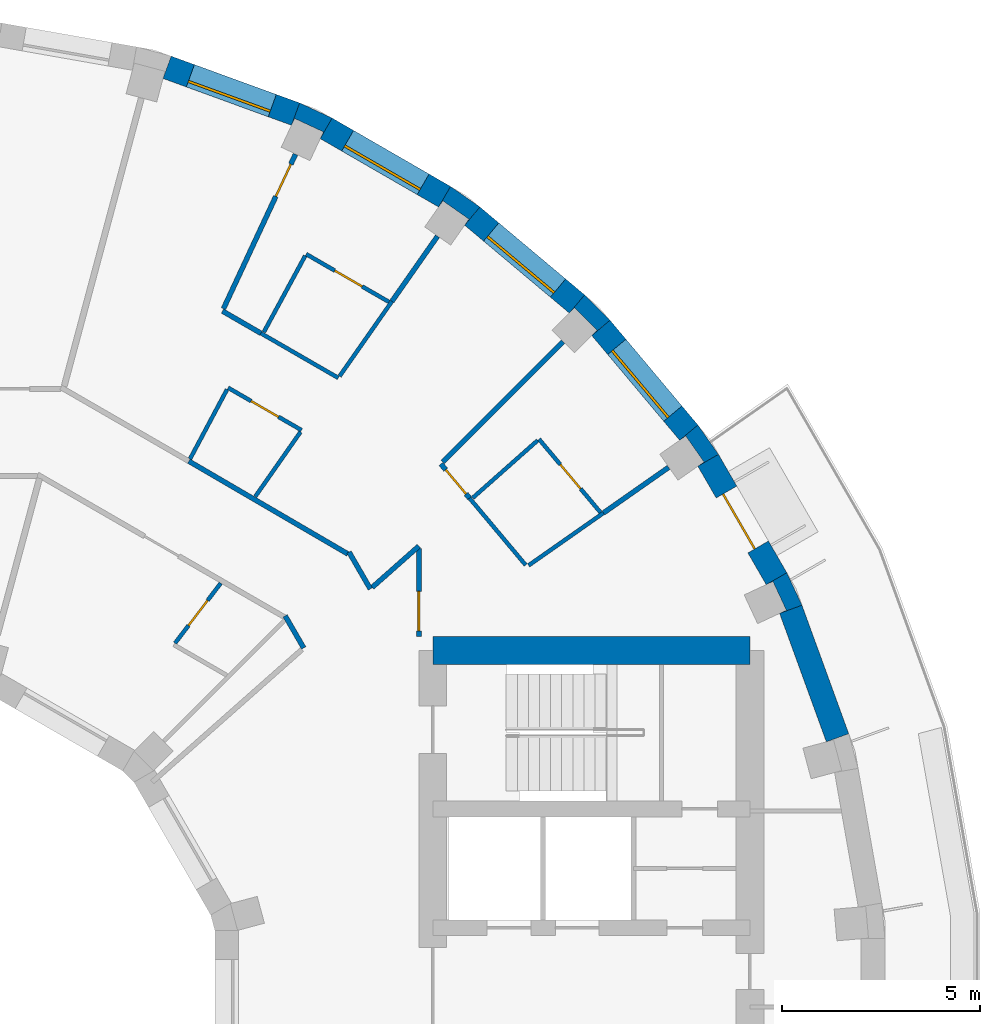
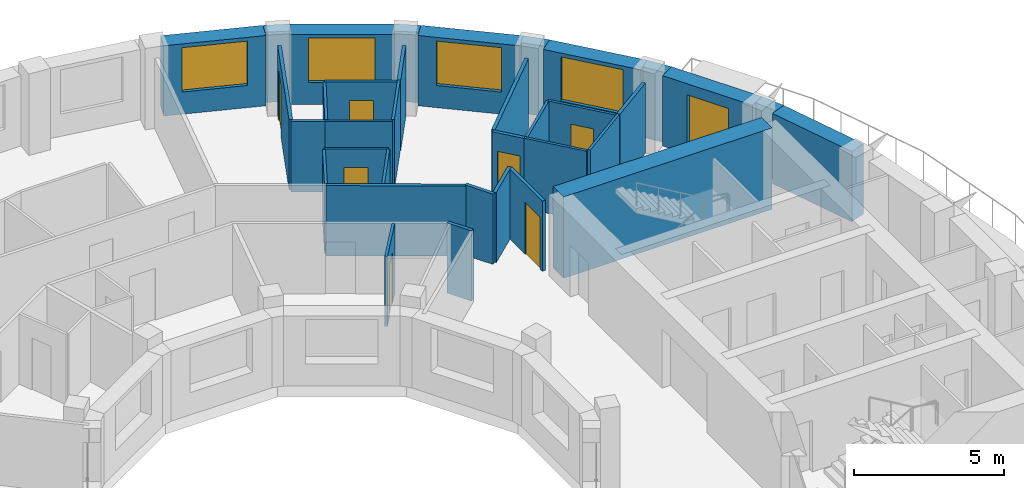
# One storey, part 9 of 11: 35 walls, 8 doors, 4 windows, 12 openings.
"""IFC4 building model written with IfcOpenShell, lengths in metres."""

import ifcopenshell
import ifcopenshell.guid

model = None  # the IFC model being written
_history = None  # IfcOwnerHistory: only IFC2X3 demands one
_inside = {}  # id of a spatial element -> (the spatial element, [elements in it])
_under = {}  # id of a project, library or spatial element -> (it, [spatial elements below it])
_declared = {}  # id of a project -> (the project, [libraries it declares])
_typed = {}  # id of a type object -> (the type object, [elements of that type])
_made_of = {}  # id of a material, layer set ... -> (it, [elements and type objects made of it])


def new_model(schema):
    """Start an empty IFC model of exactly this schema.

    Asked for "IFC4X3", IfcOpenShell would pick the latest addendum, in which some entities
    have other attributes; the version numbers below select the first issue.
    IFC2X3 requires an IfcOwnerHistory on every rooted entity: one is made here for all.
    """
    global model, _history
    if schema == "IFC4X3":
        model = ifcopenshell.file(schema_version=(4, 3, 0, 0))
    else:
        model = ifcopenshell.file(schema=schema)
    _inside.clear()
    _under.clear()
    _declared.clear()
    _typed.clear()
    _made_of.clear()
    _history = None
    if model.schema == "IFC2X3":
        org = make("IfcOrganization", Name="unknown")
        user = make(
            "IfcPersonAndOrganization",
            ThePerson=make("IfcPerson", FamilyName="unknown"),
            TheOrganization=org,
        )
        app = make(
            "IfcApplication",
            ApplicationDeveloper=org,
            Version="unknown",
            ApplicationFullName="unknown",
            ApplicationIdentifier="unknown",
        )
        _history = make(
            "IfcOwnerHistory",
            OwningUser=user,
            OwningApplication=app,
            ChangeAction="ADDED",
            CreationDate=0,
        )
    return model


def make(cls, **values):
    """One entity of the class cls with the attributes given. An attribute that is None is left unset."""
    return model.create_entity(
        cls, **{name: value for name, value in values.items() if value is not None}
    )


def rooted(cls, **values):
    """An entity with a GlobalId (a new one), such as an element, a storey or a relation."""
    return make(cls, GlobalId=ifcopenshell.guid.new(), OwnerHistory=_history, **values)


def si_unit(unit_type, name, prefix=None):
    """IfcSIUnit, for example si_unit("LENGTHUNIT", "METRE", prefix="MILLI")."""
    return make("IfcSIUnit", UnitType=unit_type, Prefix=prefix, Name=name)


def assignment(units):
    """IfcUnitAssignment: the units of a project."""
    return None if units is None else make("IfcUnitAssignment", Units=units)


def point(xyz):
    """IfcCartesianPoint."""
    return None if xyz is None else make("IfcCartesianPoint", Coordinates=xyz)


def direction(xyz):
    """IfcDirection."""
    return None if xyz is None else make("IfcDirection", DirectionRatios=xyz)


def frame(location, z_axis=None, x_axis=None):
    """IfcAxis2Placement3D, a coordinate frame: its origin and axes. An axis left out is left unset."""
    return make(
        "IfcAxis2Placement3D",
        Location=point(location),
        Axis=direction(z_axis),
        RefDirection=direction(x_axis),
    )


def frame_2d(location, x_axis=None):
    """IfcAxis2Placement2D, a coordinate frame in the plane: its origin and x axis."""
    return make(
        "IfcAxis2Placement2D", Location=point(location), RefDirection=direction(x_axis)
    )


def origin():
    """The frame at (0, 0, 0) with its axes left unset."""
    return frame((0.0, 0.0, 0.0))


def place(relative_to, where):
    """IfcLocalPlacement: puts the frame where relative to a parent placement (None: the world)."""
    return make(
        "IfcLocalPlacement", PlacementRelTo=relative_to, RelativePlacement=where
    )


def context(
    kind, dimensions, precision=None, world=None, true_north=None, identifier=None
):
    """IfcGeometricRepresentationContext, for example the 3D "Model" context."""
    return make(
        "IfcGeometricRepresentationContext",
        ContextIdentifier=identifier,
        ContextType=kind,
        CoordinateSpaceDimension=dimensions,
        Precision=precision,
        WorldCoordinateSystem=world,
        TrueNorth=true_north,
    )


def subcontext(parent, identifier, kind, view, scale=None):
    """IfcGeometricRepresentationSubContext, for example "Body" below "Model"."""
    return make(
        "IfcGeometricRepresentationSubContext",
        ContextIdentifier=identifier,
        ContextType=kind,
        ParentContext=parent,
        TargetScale=scale,
        TargetView=view,
    )


def project(units=None, contexts=None):
    """IfcProject with its units and contexts."""
    return rooted(
        "IfcProject",
        Name="project",
        RepresentationContexts=contexts,
        UnitsInContext=assignment(units),
    )


def spatial(cls, under=None, at=None, **own):
    """A site, building, storey or space (cls), placed at a placement, below another one or the project."""
    s = rooted(cls, ObjectPlacement=at, **own)
    if under is not None:
        _under.setdefault(under.id(), (under, []))[1].append(s)
    return s


def polyline(points):
    """IfcPolyline through the points."""
    return make("IfcPolyline", Points=[point(p) for p in points])


def profile(cls, at=None, kind="AREA", **sizes):
    """A parametric profile (cls). Its sizes go by their IFC names, for example OverallWidth=200.0."""
    return make(cls, ProfileType=kind, Position=at, **sizes)


def rectangle(**sizes):
    """IfcRectangleProfileDef."""
    return profile("IfcRectangleProfileDef", **sizes)


def outline(outer, holes=None, kind="AREA"):
    """IfcArbitraryClosedProfileDef: a profile drawn as a closed curve; with holes, ...WithVoids."""
    if holes is None:
        return make("IfcArbitraryClosedProfileDef", ProfileType=kind, OuterCurve=outer)
    return make(
        "IfcArbitraryProfileDefWithVoids",
        ProfileType=kind,
        OuterCurve=outer,
        InnerCurves=holes,
    )


def extrude(swept, where, along, depth):
    """IfcExtrudedAreaSolid: the profile swept, set in the frame where, extruded along a direction by depth."""
    return make(
        "IfcExtrudedAreaSolid",
        SweptArea=swept,
        Position=where,
        ExtrudedDirection=direction(along),
        Depth=depth,
    )


def shape(context_of_items, identifier, shape_type, items):
    """IfcShapeRepresentation: the items that make up one representation, for example the "Body"."""
    return make(
        "IfcShapeRepresentation",
        ContextOfItems=context_of_items,
        RepresentationIdentifier=identifier,
        RepresentationType=shape_type,
        Items=items,
    )


def material(Name=None, Category=None):
    """IfcMaterial."""
    return make("IfcMaterial", Name=Name, Category=Category)


def layer(
    of_material, thickness, ventilated=None, Name=None, Category=None, Priority=None
):
    """IfcMaterialLayer: one layer of a wall or slab, of a material (None: an air gap)."""
    return make(
        "IfcMaterialLayer",
        Material=of_material,
        LayerThickness=thickness,
        IsVentilated=ventilated,
        Name=Name,
        Category=Category,
        Priority=Priority,
    )


def layer_set(layers, Name=None):
    """IfcMaterialLayerSet."""
    return make("IfcMaterialLayerSet", MaterialLayers=layers, LayerSetName=Name)


def made_of(thing, what):
    """Note that an element or type object is made of a material, layer set ...; save() writes the relation."""
    if what is not None:
        _made_of.setdefault(what.id(), (what, []))[1].append(thing)
    return thing


def type_object(cls, material=None, **own):
    """A type object (cls), such as IfcWallType, which elements share."""
    return made_of(rooted(cls, **own), material)


def element(
    cls,
    number,
    at=None,
    inside=None,
    cuts=None,
    type_object=None,
    material=None,
    context=None,
    identifier="Body",
    shape_type=None,
    held_by="IfcProductDefinitionShape",
    body=None,
    shapes=None,
    **own,
):
    """One element of the class cls, such as IfcWall. Its Tag is "e" and its number.

    at: its placement. inside: the storey or other place that contains it. cuts: it is an
    opening in that element (IfcRelVoidsElement). A single representation is given by context,
    identifier, shape_type and body (its items); several are given by shapes. held_by: the class
    of the entity that holds the representations. save() writes the other relations.
    """
    e = rooted(cls, Tag="e%d" % number, ObjectPlacement=at, **own)
    if body is not None:
        shapes = [shape(context, identifier, shape_type, body)]
    if shapes is not None:
        e.Representation = make(held_by, Representations=shapes)
    if inside is not None:
        _inside.setdefault(inside.id(), (inside, []))[1].append(e)
    if cuts is not None:
        rooted(
            "IfcRelVoidsElement", RelatingBuildingElement=cuts, RelatedOpeningElement=e
        )
    if type_object is not None:
        _typed.setdefault(type_object.id(), (type_object, []))[1].append(e)
    return made_of(e, material)


def fill(opening, filler):
    """IfcRelFillsElement: the door or window that sits in an opening."""
    return rooted(
        "IfcRelFillsElement",
        RelatingOpeningElement=opening,
        RelatedBuildingElement=filler,
    )


def aggregate(whole, parts):
    """IfcRelAggregates: a whole, such as a stair, and the parts it consists of."""
    return rooted("IfcRelAggregates", RelatingObject=whole, RelatedObjects=parts)


def save(model, path):
    """Write the relations noted so far, then the file.

    IfcRelAggregates (storeys below a building ...), IfcRelContainedInSpatialStructure (elements
    in a storey), IfcRelDefinesByType, IfcRelAssociatesMaterial and IfcRelDeclares: one each for
    every whole, place, type object, material and project.
    """
    for whole, parts in _under.values():
        aggregate(whole, parts)
    for where, things in _inside.values():
        rooted(
            "IfcRelContainedInSpatialStructure",
            RelatedElements=things,
            RelatingStructure=where,
        )
    for kind, things in _typed.values():
        rooted("IfcRelDefinesByType", RelatedObjects=things, RelatingType=kind)
    for what, things in _made_of.values():
        rooted("IfcRelAssociatesMaterial", RelatedObjects=things, RelatingMaterial=what)
    for by, libraries in _declared.values():
        rooted("IfcRelDeclares", RelatingContext=by, RelatedDefinitions=libraries)
    model.write(path)


model = new_model("IFC4")

# Units and contexts
model_context = context("Model", 3, precision=1e-05, world=origin(), true_north=direction((0.0, 1.0)))
body_context = subcontext(model_context, "Body", "Model", "MODEL_VIEW")
ifc_project = project(units=[si_unit("LENGTHUNIT", "METRE"), si_unit("AREAUNIT", "SQUARE_METRE"), si_unit("VOLUMEUNIT", "CUBIC_METRE"), si_unit("PLANEANGLEUNIT", "RADIAN"), si_unit("MASSUNIT", "GRAM", prefix="KILO")], contexts=[model_context])

# Site, building, storey
site_placement = place(None, origin())
site = spatial("IfcSite", under=ifc_project, at=site_placement, CompositionType="ELEMENT")
building_placement = place(site_placement, origin())
building = spatial("IfcBuilding", under=site, at=building_placement, Name="Saqina Gate Tower", CompositionType="ELEMENT")
storey_placement = place(building_placement, frame((0.0, 0.0, 183.89990234375)))
storey = spatial("IfcBuildingStorey", under=building, at=storey_placement, Name="L52", CompositionType="ELEMENT", Elevation=183.89990234375)

# Walls
ifc_material_1 = material(Name="Brick masonry (buff)", Category="masonry")
wall_type_1 = type_object("IfcWallType", Name="BRICK PIER COPING BUFF", PredefinedType="SOLIDWALL", material=ifc_material_1)
wall_1_placement = place(storey_placement, origin())
element("IfcWall", 1, at=wall_1_placement, inside=storey, type_object=wall_type_1, Name="Pier cap L52 column 3", PredefinedType="SOLIDWALL", context=body_context, shape_type="SweptSolid", body=[
    extrude(outline(polyline([(22.4306640625, 10.958740234375), (21.9111328125, 10.65869140625), (22.080810546875, 10.73779296875), (22.4189453125, 10.0126953125), (22.249267578125, 9.93359375), (22.81298828125, 10.138916015625), (22.4306640625, 10.958740234375)])), origin(), (0.0, 0.0, 1.0), 2.85009765625),
])
wall_2_placement = place(storey_placement, origin())
element("IfcWall", 2, at=wall_2_placement, inside=storey, type_object=wall_type_1, Name="Pier cap L52 column 4", PredefinedType="SOLIDWALL", context=body_context, shape_type="SweptSolid", body=[
    extrude(outline(polyline([(20.705810546875, 13.9462890625), (20.18701171875, 14.687255859375), (19.727294921875, 14.301513671875), (19.880859375, 14.408935546875), (20.339599609375, 13.753662109375), (20.186279296875, 13.646240234375), (20.705810546875, 13.9462890625)])), origin(), (0.0, 0.0, 1.0), 2.85009765625),
])
wall_3_placement = place(storey_placement, origin())
element("IfcWall", 3, at=wall_3_placement, inside=storey, type_object=wall_type_1, Name="Pier cap L52 column 5", PredefinedType="SOLIDWALL", context=body_context, shape_type="SweptSolid", body=[
    extrude(outline(polyline([(17.329833984375, 17.969482421875), (16.944091796875, 17.510009765625), (17.07666015625, 17.642333984375), (17.642333984375, 17.07666015625), (17.510009765625, 16.944091796875), (17.969482421875, 17.329833984375), (17.329833984375, 17.969482421875)])), origin(), (0.0, 0.0, 1.0), 2.85009765625),
])
wall_4_placement = place(storey_placement, origin())
element("IfcWall", 4, at=wall_4_placement, inside=storey, type_object=wall_type_1, Name="Pier cap L52 column 6", PredefinedType="SOLIDWALL", context=body_context, shape_type="SweptSolid", body=[
    extrude(outline(polyline([(14.687255859375, 20.18701171875), (13.9462890625, 20.705810546875), (13.646240234375, 20.186279296875), (13.753662109375, 20.339599609375), (14.408935546875, 19.880859375), (14.301513671875, 19.727294921875), (14.687255859375, 20.18701171875)])), origin(), (0.0, 0.0, 1.0), 2.85009765625),
])
wall_5_placement = place(storey_placement, origin())
element("IfcWall", 5, at=wall_5_placement, inside=storey, type_object=wall_type_1, Name="Pier cap L52 column 7", PredefinedType="SOLIDWALL", context=body_context, shape_type="SweptSolid", body=[
    extrude(outline(polyline([(10.138916015625, 22.81298828125), (9.93359375, 22.249267578125), (10.0126953125, 22.4189453125), (10.73779296875, 22.080810546875), (10.65869140625, 21.9111328125), (10.958740234375, 22.4306640625), (10.138916015625, 22.81298828125)])), origin(), (0.0, 0.0, 1.0), 2.85009765625),
])

# Wall, opening, door
ifc_material_2 = material(Name="Brick masonry (buff)", Category="masonry")
ifc_layer_1 = layer(ifc_material_2, 0.60009765625)
ifc_layer_set_1 = layer_set([ifc_layer_1], Name="FW-BRICK-BUFF")
wall_type_2 = type_object("IfcWallType", Name="FW-BRICK-BUFF", PredefinedType="SOLIDWALL", material=ifc_layer_set_1)
wall_6_placement = place(storey_placement, frame((22.1708984375, 10.80859375, 0.0), z_axis=(0.0, 0.0, 1.0), x_axis=(-0.499998129301, 0.86602648383, 0.0)))
wall_6 = element("IfcWall", 6, at=wall_6_placement, inside=storey, type_object=wall_type_2, Name="Facade wall L52 facet 3", PredefinedType="SOLIDWALL", context=body_context, shape_type="SweptSolid", body=[
    extrude(rectangle(XDim=3.44970703125, YDim=0.60009765625, at=frame_2d((1.724853515625, 0.0))), origin(), (0.0, 0.0, 1.0), 2.85009765625),
])
opening_1_placement = place(wall_6_placement, frame((0.9248046875, 0.0, 0.0)))
opening_1 = element("IfcOpeningElement", 7, at=opening_1_placement, cuts=wall_6, Name="Opening G15-D80", PredefinedType="OPENING", context=body_context, shape_type="SweptSolid", body=[
    extrude(rectangle(XDim=1.60009765625, YDim=2.39990234375, at=frame_2d((0.800048828125, 1.199951171875))), frame((0.0, 0.31201171875, 0.0), z_axis=(0.0, -1.0, 0.0), x_axis=(1.0, 0.0, 0.0)), (0.0, 0.0, 1.0), 0.6240234375),
])
ifc_material_3 = material(Name="Aluminium glazing", Category="aluminium")
door_type_1 = type_object("IfcDoorType", Name="GD-C", OperationType="DOUBLE_DOOR_SINGLE_SWING", PredefinedType="DOOR", material=ifc_material_3)
door_1_placement = place(opening_1_placement, origin())
door_1 = element("IfcDoor", 8, at=door_1_placement, inside=storey, type_object=door_type_1, Name="Terrace door L52 facet 3", OperationType="DOUBLE_DOOR_SINGLE_SWING", OverallHeight=2.39990234375, OverallWidth=1.60009765625, PredefinedType="DOOR", context=body_context, shape_type="SweptSolid", body=[
    extrude(rectangle(XDim=1.60009765625, YDim=2.39990234375, at=frame_2d((0.800048828125, 1.199951171875))), frame((0.0, 0.125, 0.0), z_axis=(0.0, -1.0, 0.0), x_axis=(1.0, 0.0, 0.0)), (0.0, 0.0, 1.0), 0.050048828125),
])
fill(opening_1, door_1)

# Wall, opening, window
wall_7_placement = place(storey_placement, frame((19.95703125, 14.494384765625, 0.0), z_axis=(0.0, 0.0, 1.0), x_axis=(-0.642770398358, 0.766058884809, 0.0)))
wall_7 = element("IfcWall", 9, at=wall_7_placement, inside=storey, type_object=wall_type_2, Name="Facade wall L52 facet 4", PredefinedType="SOLIDWALL", context=body_context, shape_type="SweptSolid", body=[
    extrude(rectangle(XDim=3.449462890625, YDim=0.60009765625, at=frame_2d((1.724609375, 0.0))), origin(), (0.0, 0.0, 1.0), 2.85009765625),
])
opening_2_placement = place(wall_7_placement, frame((0.625, 0.0, 0.89990234375)))
opening_2 = element("IfcOpeningElement", 10, at=opening_2_placement, cuts=wall_7, Name="Opening G15-W01", PredefinedType="OPENING", context=body_context, shape_type="SweptSolid", body=[
    extrude(rectangle(XDim=2.199951171875, YDim=1.800048828125, at=frame_2d((1.10009765625, 0.89990234375))), frame((0.0, 0.31201171875, 0.0), z_axis=(0.0, -1.0, 0.0), x_axis=(1.0, 0.0, 0.0)), (0.0, 0.0, 1.0), 0.6240234375),
])
ifc_material_4 = material(Name="Aluminium glazing", Category="aluminium")
window_type = type_object("IfcWindowType", Name="WN-C", PartitioningType="SINGLE_PANEL", PredefinedType="WINDOW", material=ifc_material_4)
window_1_placement = place(opening_2_placement, origin())
window_1 = element("IfcWindow", 11, at=window_1_placement, inside=storey, type_object=window_type, Name="Window L52 facet 4", OverallHeight=1.800048828125, OverallWidth=2.199951171875, PartitioningType="SINGLE_PANEL", PredefinedType="WINDOW", context=body_context, shape_type="SweptSolid", body=[
    extrude(rectangle(XDim=2.199951171875, YDim=1.800048828125, at=frame_2d((1.10009765625, 0.89990234375))), frame((0.0, 0.179931640625, 0.0), z_axis=(0.0, -1.0, 0.0), x_axis=(1.0, 0.0, 0.0)), (0.0, 0.0, 1.0), 0.06005859375),
])
fill(opening_2, window_1)

wall_8_placement = place(storey_placement, frame((17.136962890625, 17.73974609375, 0.0), z_axis=(0.0, 0.0, 1.0), x_axis=(-0.766058884809, 0.642770398358, 0.0)))
wall_8 = element("IfcWall", 12, at=wall_8_placement, inside=storey, type_object=wall_type_2, Name="Facade wall L52 facet 5", PredefinedType="SOLIDWALL", context=body_context, shape_type="SweptSolid", body=[
    extrude(rectangle(XDim=3.449462890625, YDim=0.60009765625, at=frame_2d((1.724609375, 0.0))), origin(), (0.0, 0.0, 1.0), 2.85009765625),
])
opening_3_placement = place(wall_8_placement, frame((0.625, 0.0, 0.89990234375)))
opening_3 = element("IfcOpeningElement", 13, at=opening_3_placement, cuts=wall_8, Name="Opening G15-W02", PredefinedType="OPENING", context=body_context, shape_type="SweptSolid", body=[
    extrude(rectangle(XDim=2.199951171875, YDim=1.800048828125, at=frame_2d((1.10009765625, 0.89990234375))), frame((0.0, 0.31201171875, 0.0), z_axis=(0.0, -1.0, 0.0), x_axis=(1.0, 0.0, 0.0)), (0.0, 0.0, 1.0), 0.6240234375),
])
window_2_placement = place(opening_3_placement, origin())
window_2 = element("IfcWindow", 14, at=window_2_placement, inside=storey, type_object=window_type, Name="Window L52 facet 5", OverallHeight=1.800048828125, OverallWidth=2.199951171875, PartitioningType="SINGLE_PANEL", PredefinedType="WINDOW", context=body_context, shape_type="SweptSolid", body=[
    extrude(rectangle(XDim=2.199951171875, YDim=1.800048828125, at=frame_2d((1.10009765625, 0.89990234375))), frame((0.0, 0.179931640625, 0.0), z_axis=(0.0, -1.0, 0.0), x_axis=(1.0, 0.0, 0.0)), (0.0, 0.0, 1.0), 0.06005859375),
])
fill(opening_3, window_2)

wall_9_placement = place(storey_placement, frame((13.796142578125, 20.446044921875, 0.0), z_axis=(0.0, 0.0, 1.0), x_axis=(-0.86602648383, 0.499998129301, 0.0)))
wall_9 = element("IfcWall", 15, at=wall_9_placement, inside=storey, type_object=wall_type_2, Name="Facade wall L52 facet 6", PredefinedType="SOLIDWALL", context=body_context, shape_type="SweptSolid", body=[
    extrude(rectangle(XDim=3.44970703125, YDim=0.60009765625, at=frame_2d((1.724853515625, 0.0))), origin(), (0.0, 0.0, 1.0), 2.85009765625),
])
opening_4_placement = place(wall_9_placement, frame((0.625, 0.0, 0.89990234375)))
opening_4 = element("IfcOpeningElement", 16, at=opening_4_placement, cuts=wall_9, Name="Opening G15-W03", PredefinedType="OPENING", context=body_context, shape_type="SweptSolid", body=[
    extrude(rectangle(XDim=2.199951171875, YDim=1.800048828125, at=frame_2d((1.10009765625, 0.89990234375))), frame((0.0, 0.31201171875, 0.0), z_axis=(0.0, -1.0, 0.0), x_axis=(1.0, 0.0, 0.0)), (0.0, 0.0, 1.0), 0.6240234375),
])
window_3_placement = place(opening_4_placement, origin())
window_3 = element("IfcWindow", 17, at=window_3_placement, inside=storey, type_object=window_type, Name="Window L52 facet 6", OverallHeight=1.800048828125, OverallWidth=2.199951171875, PartitioningType="SINGLE_PANEL", PredefinedType="WINDOW", context=body_context, shape_type="SweptSolid", body=[
    extrude(rectangle(XDim=2.199951171875, YDim=1.800048828125, at=frame_2d((1.10009765625, 0.89990234375))), frame((0.0, 0.179931640625, 0.0), z_axis=(0.0, -1.0, 0.0), x_axis=(1.0, 0.0, 0.0)), (0.0, 0.0, 1.0), 0.06005859375),
])
fill(opening_4, window_3)

wall_10_placement = place(storey_placement, frame((10.0361328125, 22.531005859375, 0.0), z_axis=(0.0, 0.0, 1.0), x_axis=(-0.93968799822, 0.342032843455, 0.0)))
wall_10 = element("IfcWall", 18, at=wall_10_placement, inside=storey, type_object=wall_type_2, Name="Facade wall L52 facet 7", PredefinedType="SOLIDWALL", context=body_context, shape_type="SweptSolid", body=[
    extrude(rectangle(XDim=3.44970703125, YDim=0.60009765625, at=frame_2d((1.724853515625, 0.0))), origin(), (0.0, 0.0, 1.0), 2.85009765625),
])
opening_5_placement = place(wall_10_placement, frame((0.625, 0.0, 0.89990234375)))
opening_5 = element("IfcOpeningElement", 19, at=opening_5_placement, cuts=wall_10, Name="Opening G15-W04", PredefinedType="OPENING", context=body_context, shape_type="SweptSolid", body=[
    extrude(rectangle(XDim=2.199951171875, YDim=1.800048828125, at=frame_2d((1.10009765625, 0.89990234375))), frame((0.0, 0.31201171875, 0.0), z_axis=(0.0, -1.0, 0.0), x_axis=(1.0, 0.0, 0.0)), (0.0, 0.0, 1.0), 0.6240234375),
])
window_4_placement = place(opening_5_placement, origin())
window_4 = element("IfcWindow", 20, at=window_4_placement, inside=storey, type_object=window_type, Name="Window L52 facet 7", OverallHeight=1.800048828125, OverallWidth=2.199951171875, PartitioningType="SINGLE_PANEL", PredefinedType="WINDOW", context=body_context, shape_type="SweptSolid", body=[
    extrude(rectangle(XDim=2.199951171875, YDim=1.800048828125, at=frame_2d((1.10009765625, 0.89990234375))), frame((0.0, 0.179931640625, 0.0), z_axis=(0.0, -1.0, 0.0), x_axis=(1.0, 0.0, 0.0)), (0.0, 0.0, 1.0), 0.06005859375),
])
fill(opening_5, window_4)

# Walls
ifc_material_5 = material(Name="Glazed ceramic tile (dark blue)", Category="ceramic")
ifc_layer_2 = layer(ifc_material_5, 0.60009765625)
ifc_layer_set_2 = layer_set([ifc_layer_2], Name="FW-TILE-CB")
wall_type_3 = type_object("IfcWallType", Name="FW-TILE-CB", PredefinedType="SOLIDWALL", material=ifc_layer_set_2)
wall_11_placement = place(storey_placement, frame((23.7109375, 6.79443359375, 0.0), z_axis=(0.0, 0.0, 1.0), x_axis=(-0.342032843455, 0.93968799822, 0.0)))
element("IfcWall", 21, at=wall_11_placement, inside=storey, type_object=wall_type_3, Name="Facade wall L52 facet 2", PredefinedType="SOLIDWALL", context=body_context, shape_type="SweptSolid", body=[
    extrude(rectangle(XDim=3.44970703125, YDim=0.60009765625, at=frame_2d((1.724853515625, 0.0))), origin(), (0.0, 0.0, 1.0), 2.85009765625),
])
ifc_material_6 = material(Name="Gypsum board on steel studs, 100 mm", Category="steel")
ifc_layer_3 = layer(ifc_material_6, 0.10009765625)
ifc_layer_set_3 = layer_set([ifc_layer_3], Name="PARTITION 100")
wall_type_4 = type_object("IfcWallType", Name="PARTITION 100", PredefinedType="PARTITIONING", material=ifc_layer_set_3)
wall_12_placement = place(storey_placement, frame((14.425048828125, 12.84228515625, 0.0), z_axis=(0.0, 0.0, 1.0), x_axis=(0.642729690631, -0.766093039246, 0.0)))
element("IfcWall", 22, at=wall_12_placement, inside=storey, type_object=wall_type_4, Name="PARTITION PW3-12", PredefinedType="PARTITIONING", context=body_context, shape_type="SweptSolid", body=[
    extrude(rectangle(XDim=2.20458984375, YDim=0.10009765625, at=frame_2d((1.102294921875, 0.0))), origin(), (0.0, 0.0, 1.0), 2.85009765625),
])

# Wall, opening, door
wall_13_placement = place(storey_placement, frame((16.178955078125, 14.3291015625, 0.0), z_axis=(0.0, 0.0, 1.0), x_axis=(0.64280558307, -0.7660293613, 0.0)))
wall_13 = element("IfcWall", 23, at=wall_13_placement, inside=storey, type_object=wall_type_4, Name="PARTITION PW3-13", PredefinedType="PARTITIONING", context=body_context, shape_type="SweptSolid", body=[
    extrude(rectangle(XDim=2.415283203125, YDim=0.10009765625, at=frame_2d((1.20751953125, 0.0))), origin(), (0.0, 0.0, 1.0), 2.85009765625),
])
opening_6_placement = place(wall_13_placement, frame((0.83349609375, 0.0, 0.0)))
opening_6 = element("IfcOpeningElement", 24, at=opening_6_placement, cuts=wall_13, Name="Opening G15-D02", PredefinedType="OPENING", context=body_context, shape_type="SweptSolid", body=[
    extrude(rectangle(XDim=0.800048828125, YDim=2.10009765625, at=frame_2d((0.39990234375, 1.050048828125))), frame((0.0, 0.06201171875, 0.0), z_axis=(0.0, -1.0, 0.0), x_axis=(1.0, 0.0, 0.0)), (0.0, 0.0, 1.0), 0.1240234375),
])
ifc_material_7 = material(Name="Timber door leaf, 800 mm", Category="wood")
door_type_2 = type_object("IfcDoorType", Name="DOOR 800 TIMBER", OperationType="SINGLE_SWING_LEFT", PredefinedType="DOOR", material=ifc_material_7)
door_2_placement = place(opening_6_placement, origin())
door_2 = element("IfcDoor", 25, at=door_2_placement, inside=storey, type_object=door_type_2, Name="DOOR G15-D02", OperationType="SINGLE_SWING_RIGHT", OverallHeight=2.10009765625, OverallWidth=0.800048828125, PredefinedType="DOOR", context=body_context, shape_type="SweptSolid", body=[
    extrude(rectangle(XDim=0.800048828125, YDim=2.10009765625, at=frame_2d((0.39990234375, 1.050048828125))), frame((0.0, 0.02490234375, 0.0), z_axis=(0.0, -1.0, 0.0), x_axis=(1.0, 0.0, 0.0)), (0.0, 0.0, 1.0), 0.050048828125),
])
fill(opening_6, door_2)

wall_14_placement = place(storey_placement, frame((8.332763671875, 15.626953125, 0.0), z_axis=(0.0, 0.0, 1.0), x_axis=(0.866024183959, -0.500002112793, 0.0)))
wall_14 = element("IfcWall", 26, at=wall_14_placement, inside=storey, type_object=wall_type_4, Name="PARTITION PW3-25", PredefinedType="PARTITIONING", context=body_context, shape_type="SweptSolid", body=[
    extrude(rectangle(XDim=2.14111328125, YDim=0.10009765625, at=frame_2d((1.070556640625, 0.0))), origin(), (0.0, 0.0, 1.0), 2.85009765625),
])
opening_7_placement = place(wall_14_placement, frame((0.67041015625, 0.0, 0.0)))
opening_7 = element("IfcOpeningElement", 27, at=opening_7_placement, cuts=wall_14, Name="Opening G15-D06", PredefinedType="OPENING", context=body_context, shape_type="SweptSolid", body=[
    extrude(rectangle(XDim=0.800048828125, YDim=2.10009765625, at=frame_2d((0.39990234375, 1.050048828125))), frame((0.0, 0.06201171875, 0.0), z_axis=(0.0, -1.0, 0.0), x_axis=(1.0, 0.0, 0.0)), (0.0, 0.0, 1.0), 0.1240234375),
])
door_3_placement = place(opening_7_placement, origin())
door_3 = element("IfcDoor", 28, at=door_3_placement, inside=storey, type_object=door_type_2, Name="DOOR G15-D06", OperationType="SINGLE_SWING_LEFT", OverallHeight=2.10009765625, OverallWidth=0.800048828125, PredefinedType="DOOR", context=body_context, shape_type="SweptSolid", body=[
    extrude(rectangle(XDim=0.800048828125, YDim=2.10009765625, at=frame_2d((0.39990234375, 1.050048828125))), frame((0.0, 0.02490234375, 0.0), z_axis=(0.0, -1.0, 0.0), x_axis=(1.0, 0.0, 0.0)), (0.0, 0.0, 1.0), 0.050048828125),
])
fill(opening_7, door_3)

# Wall
wall_15_placement = place(storey_placement, frame((9.16259765625, 17.0009765625, 0.0), z_axis=(0.0, 0.0, 1.0), x_axis=(0.866073680794, -0.499916372443, 0.0)))
element("IfcWall", 29, at=wall_15_placement, inside=storey, type_object=wall_type_4, Name="PARTITION PW3-26", PredefinedType="PARTITIONING", context=body_context, shape_type="SweptSolid", body=[
    extrude(rectangle(XDim=2.25244140625, YDim=0.10009765625, at=frame_2d((1.126220703125, 0.0))), origin(), (0.0, 0.0, 1.0), 2.85009765625),
])

# Wall, opening, door
wall_16_placement = place(storey_placement, frame((10.302978515625, 18.9990234375, 0.0), z_axis=(0.0, 0.0, 1.0), x_axis=(0.865870907928, -0.500267499248, 0.0)))
wall_16 = element("IfcWall", 30, at=wall_16_placement, inside=storey, type_object=wall_type_4, Name="PARTITION PW3-27", PredefinedType="PARTITIONING", context=body_context, shape_type="SweptSolid", body=[
    extrude(rectangle(XDim=2.416748046875, YDim=0.10009765625, at=frame_2d((1.20849609375, 0.0))), origin(), (0.0, 0.0, 1.0), 2.85009765625),
])
opening_8_placement = place(wall_16_placement, frame((0.83349609375, 0.0, 0.0)))
opening_8 = element("IfcOpeningElement", 31, at=opening_8_placement, cuts=wall_16, Name="Opening G15-D05", PredefinedType="OPENING", context=body_context, shape_type="SweptSolid", body=[
    extrude(rectangle(XDim=0.800048828125, YDim=2.10009765625, at=frame_2d((0.39990234375, 1.050048828125))), frame((0.0, 0.06201171875, 0.0), z_axis=(0.0, -1.0, 0.0), x_axis=(1.0, 0.0, 0.0)), (0.0, 0.0, 1.0), 0.1240234375),
])
door_4_placement = place(opening_8_placement, origin())
door_4 = element("IfcDoor", 32, at=door_4_placement, inside=storey, type_object=door_type_2, Name="DOOR G15-D05", OperationType="SINGLE_SWING_RIGHT", OverallHeight=2.10009765625, OverallWidth=0.800048828125, PredefinedType="DOOR", context=body_context, shape_type="SweptSolid", body=[
    extrude(rectangle(XDim=0.800048828125, YDim=2.10009765625, at=frame_2d((0.39990234375, 1.050048828125))), frame((0.0, 0.02490234375, 0.0), z_axis=(0.0, -1.0, 0.0), x_axis=(1.0, 0.0, 0.0)), (0.0, 0.0, 1.0), 0.050048828125),
])
fill(opening_8, door_4)

# Walls
wall_17_placement = place(storey_placement, frame((15.9150390625, 11.143798828125, 0.0), z_axis=(0.0, 0.0, 1.0), x_axis=(0.819157380539, 0.573568815321, 0.0)))
element("IfcWall", 33, at=wall_17_placement, inside=storey, type_object=wall_type_4, Name="PARTITION PW3-44", PredefinedType="PARTITIONING", context=body_context, shape_type="SweptSolid", body=[
    extrude(rectangle(XDim=2.308349609375, YDim=0.10009765625, at=frame_2d((1.154296875, 0.0))), origin(), (0.0, 0.0, 1.0), 2.85009765625),
])
wall_18_placement = place(storey_placement, frame((14.50390625, 12.845458984375, 0.0), z_axis=(0.0, 0.0, 1.0), x_axis=(0.748608753718, 0.663012016374, 0.0)))
element("IfcWall", 34, at=wall_18_placement, inside=storey, type_object=wall_type_4, Name="PARTITION PW3-47", PredefinedType="PARTITIONING", context=body_context, shape_type="SweptSolid", body=[
    extrude(rectangle(XDim=2.187744140625, YDim=0.10009765625, at=frame_2d((1.09375, 0.0))), origin(), (0.0, 0.0, 1.0), 2.85009765625),
])

# Wall, opening, door
wall_19_placement = place(storey_placement, frame((6.995361328125, 9.181884765625, 0.0), z_axis=(0.0, 0.0, 1.0), x_axis=(0.606016164932, 0.795452329081, 0.0)))
wall_19 = element("IfcWall", 35, at=wall_19_placement, inside=storey, type_object=wall_type_4, Name="PARTITION PW3-55", PredefinedType="PARTITIONING", context=body_context, shape_type="SweptSolid", body=[
    extrude(rectangle(XDim=1.903564453125, YDim=0.10009765625, at=frame_2d((0.95166015625, 0.0))), origin(), (0.0, 0.0, 1.0), 2.85009765625),
])
opening_9_placement = place(wall_19_placement, frame((0.55810546875, 0.0, 0.0)))
opening_9 = element("IfcOpeningElement", 36, at=opening_9_placement, cuts=wall_19, Name="Opening G15-D04", PredefinedType="OPENING", context=body_context, shape_type="SweptSolid", body=[
    extrude(rectangle(XDim=0.800048828125, YDim=2.10009765625, at=frame_2d((0.39990234375, 1.050048828125))), frame((0.0, 0.06201171875, 0.0), z_axis=(0.0, -1.0, 0.0), x_axis=(1.0, 0.0, 0.0)), (0.0, 0.0, 1.0), 0.1240234375),
])
door_5_placement = place(opening_9_placement, origin())
door_5 = element("IfcDoor", 37, at=door_5_placement, inside=storey, type_object=door_type_2, Name="DOOR G15-D04", OperationType="SINGLE_SWING_RIGHT", OverallHeight=2.10009765625, OverallWidth=0.800048828125, PredefinedType="DOOR", context=body_context, shape_type="SweptSolid", body=[
    extrude(rectangle(XDim=0.800048828125, YDim=2.10009765625, at=frame_2d((0.39990234375, 1.050048828125))), frame((0.0, 0.02490234375, 0.0), z_axis=(0.0, -1.0, 0.0), x_axis=(1.0, 0.0, 0.0)), (0.0, 0.0, 1.0), 0.050048828125),
])
fill(opening_9, door_5)

# Walls
wall_20_placement = place(storey_placement, frame((11.147216796875, 15.91845703125, 0.0), z_axis=(0.0, 0.0, 1.0), x_axis=(0.573270276117, 0.819366334749, 0.0)))
element("IfcWall", 38, at=wall_20_placement, inside=storey, type_object=wall_type_4, Name="PARTITION PW3-56", PredefinedType="PARTITIONING", context=body_context, shape_type="SweptSolid", body=[
    extrude(rectangle(XDim=2.303466796875, YDim=0.10009765625, at=frame_2d((1.15185546875, 0.0))), origin(), (0.0, 0.0, 1.0), 2.85009765625),
])
wall_21_placement = place(storey_placement, frame((9.017822265625, 12.879150390625, 0.0), z_axis=(0.0, 0.0, 1.0), x_axis=(0.573717150032, 0.819053497495, 0.0)))
element("IfcWall", 39, at=wall_21_placement, inside=storey, type_object=wall_type_4, Name="PARTITION PW3-57", PredefinedType="PARTITIONING", context=body_context, shape_type="SweptSolid", body=[
    extrude(rectangle(XDim=1.9931640625, YDim=0.10009765625, at=frame_2d((0.99658203125, 0.0))), origin(), (0.0, 0.0, 1.0), 2.85009765625),
])
wall_22_placement = place(storey_placement, frame((9.23583984375, 17.031005859375, 0.0), z_axis=(0.0, 0.0, 1.0), x_axis=(0.476638861042, 0.87909919585, 0.0)))
element("IfcWall", 40, at=wall_22_placement, inside=storey, type_object=wall_type_4, Name="PARTITION PW3-58", PredefinedType="PARTITIONING", context=body_context, shape_type="SweptSolid", body=[
    extrude(rectangle(XDim=2.188720703125, YDim=0.10009765625, at=frame_2d((1.09423828125, 0.0))), origin(), (0.0, 0.0, 1.0), 2.85009765625),
])
wall_23_placement = place(storey_placement, frame((7.37353515625, 13.8310546875, 0.0), z_axis=(0.0, 0.0, 1.0), x_axis=(0.470274863267, 0.882520001461, 0.0)))
element("IfcWall", 41, at=wall_23_placement, inside=storey, type_object=wall_type_4, Name="PARTITION PW3-59", PredefinedType="PARTITIONING", context=body_context, shape_type="SweptSolid", body=[
    extrude(rectangle(XDim=1.981689453125, YDim=0.10009765625, at=frame_2d((0.99072265625, 0.0))), origin(), (0.0, 0.0, 1.0), 2.85009765625),
])
ifc_material_8 = material(Name="Gypsum board on steel studs, 125 mm, fire rated", Category="steel")
ifc_layer_4 = layer(ifc_material_8, 0.125)
ifc_layer_set_4 = layer_set([ifc_layer_4], Name="PARTITION EI 30 125")
wall_type_5 = type_object("IfcWallType", Name="PARTITION EI 30 125", PredefinedType="PARTITIONING", material=ifc_layer_set_4)
wall_24_placement = place(storey_placement, frame((11.384033203125, 11.482421875, 0.0), z_axis=(0.0, 0.0, 1.0), x_axis=(0.500016891966, -0.866015650984, 0.0)))
element("IfcWall", 42, at=wall_24_placement, inside=storey, type_object=wall_type_5, Name="PARTITION PW1-03", PredefinedType="PARTITIONING", context=body_context, shape_type="SweptSolid", body=[
    extrude(rectangle(XDim=1.07666015625, YDim=0.125, at=frame_2d((0.538330078125, 0.0))), origin(), (0.0, 0.0, 1.0), 2.85009765625),
])
wall_25_placement = place(storey_placement, frame((9.77294921875, 9.871337890625, 0.0), z_axis=(0.0, 0.0, 1.0), x_axis=(0.501046552025, -0.865420332962, 0.0)))
element("IfcWall", 43, at=wall_25_placement, inside=storey, type_object=wall_type_5, Name="PARTITION PW1-05", PredefinedType="PARTITIONING", context=body_context, shape_type="SweptSolid", body=[
    extrude(rectangle(XDim=0.93603515625, YDim=0.125, at=frame_2d((0.468017578125, 0.0))), origin(), (0.0, 0.0, 1.0), 2.85009765625),
])

# Wall, opening, door
wall_26_placement = place(storey_placement, frame((13.702880859375, 13.702880859375, 0.0), z_axis=(0.0, 0.0, 1.0), x_axis=(0.642682228496, -0.766132856087, 0.0)))
wall_26 = element("IfcWall", 44, at=wall_26_placement, inside=storey, type_object=wall_type_5, Name="PARTITION PW1-07", PredefinedType="PARTITIONING", context=body_context, shape_type="SweptSolid", body=[
    extrude(rectangle(XDim=1.123291015625, YDim=0.125, at=frame_2d((0.5615234375, 0.0))), origin(), (0.0, 0.0, 1.0), 2.85009765625),
])
opening_10_placement = place(wall_26_placement, frame((0.1875, 0.0, 0.0)))
opening_10 = element("IfcOpeningElement", 45, at=opening_10_placement, cuts=wall_26, Name="Opening G15-D03", PredefinedType="OPENING", context=body_context, shape_type="SweptSolid", body=[
    extrude(rectangle(XDim=0.800048828125, YDim=2.10009765625, at=frame_2d((0.39990234375, 1.050048828125))), frame((0.0, 0.074462890625, 0.0), z_axis=(0.0, -1.0, 0.0), x_axis=(1.0, 0.0, 0.0)), (0.0, 0.0, 1.0), 0.14892578125),
])
ifc_material_9 = material(Name="Fire door leaf EI 30, 800 mm")
door_type_3 = type_object("IfcDoorType", Name="DOOR 800 EI 30", OperationType="SINGLE_SWING_LEFT", PredefinedType="DOOR", material=ifc_material_9)
door_6_placement = place(opening_10_placement, frame((0.800048828125, 0.0, 0.0), z_axis=(0.0, 0.0, 1.0), x_axis=(-1.0, 0.0, 0.0)))
door_6 = element("IfcDoor", 46, at=door_6_placement, inside=storey, type_object=door_type_3, Name="DOOR G15-D03", OperationType="SINGLE_SWING_LEFT", OverallHeight=2.10009765625, OverallWidth=0.800048828125, PredefinedType="DOOR", context=body_context, shape_type="SweptSolid", body=[
    extrude(rectangle(XDim=0.800048828125, YDim=2.10009765625, at=frame_2d((0.39990234375, 1.050048828125))), frame((0.0, 0.02490234375, 0.0), z_axis=(0.0, -1.0, 0.0), x_axis=(1.0, 0.0, 0.0)), (0.0, 0.0, 1.0), 0.050048828125),
])
fill(opening_10, door_6)

# Walls
wall_27_placement = place(storey_placement, frame((7.3427734375, 13.774169921875, 0.0), z_axis=(0.0, 0.0, 1.0), x_axis=(0.86377127644, -0.503884095796, 0.0)))
element("IfcWall", 47, at=wall_27_placement, inside=storey, type_object=wall_type_5, Name="PARTITION PW1-13", PredefinedType="PARTITIONING", context=body_context, shape_type="SweptSolid", body=[
    extrude(rectangle(XDim=4.6455078125, YDim=0.125, at=frame_2d((2.32275390625, 0.0))), origin(), (0.0, 0.0, 1.0), 2.85009765625),
])
wall_28_placement = place(storey_placement, frame((8.19189453125, 17.561767578125, 0.0), z_axis=(0.0, 0.0, 1.0), x_axis=(0.865888132195, -0.500237686029, 0.0)))
element("IfcWall", 48, at=wall_28_placement, inside=storey, type_object=wall_type_5, Name="PARTITION PW1-18", PredefinedType="PARTITIONING", context=body_context, shape_type="SweptSolid", body=[
    extrude(rectangle(XDim=1.12109375, YDim=0.125, at=frame_2d((0.560546875, 0.0))), origin(), (0.0, 0.0, 1.0), 2.85009765625),
])
wall_29_placement = place(storey_placement, frame((17.805908203125, 12.4677734375, 0.0), z_axis=(0.0, 0.0, 1.0), x_axis=(0.819060101024, 0.573707722548, 0.0)))
element("IfcWall", 49, at=wall_29_placement, inside=storey, type_object=wall_type_5, Name="PARTITION PW1-28", PredefinedType="PARTITIONING", context=body_context, shape_type="SweptSolid", body=[
    extrude(rectangle(XDim=2.003173828125, YDim=0.125, at=frame_2d((1.00146484375, 0.0))), origin(), (0.0, 0.0, 1.0), 2.85009765625),
])
wall_30_placement = place(storey_placement, frame((11.970458984375, 10.59033203125, 0.0), z_axis=(0.0, 0.0, 1.0), x_axis=(0.748916466518, 0.66266441445, 0.0)))
element("IfcWall", 50, at=wall_30_placement, inside=storey, type_object=wall_type_5, Name="PARTITION PW1-33", PredefinedType="PARTITIONING", context=body_context, shape_type="SweptSolid", body=[
    extrude(rectangle(XDim=1.571044921875, YDim=0.125, at=frame_2d((0.78564453125, 0.0))), origin(), (0.0, 0.0, 1.0), 2.85009765625),
])
wall_31_placement = place(storey_placement, frame((13.748291015625, 13.748291015625, 0.0), z_axis=(0.0, 0.0, 1.0), x_axis=(0.707106781187, 0.707106781187, 0.0)))
element("IfcWall", 51, at=wall_31_placement, inside=storey, type_object=wall_type_5, Name="PARTITION PW1-35", PredefinedType="PARTITIONING", context=body_context, shape_type="SweptSolid", body=[
    extrude(rectangle(XDim=4.296875, YDim=0.125, at=frame_2d((2.1484375, 0.0))), origin(), (0.0, 0.0, 1.0), 2.85009765625),
])
wall_32_placement = place(storey_placement, frame((12.467529296875, 17.805908203125, 0.0), z_axis=(0.0, 0.0, 1.0), x_axis=(0.573568678046, 0.819157476658, 0.0)))
element("IfcWall", 52, at=wall_32_placement, inside=storey, type_object=wall_type_5, Name="PARTITION PW1-38", PredefinedType="PARTITIONING", context=body_context, shape_type="SweptSolid", body=[
    extrude(rectangle(XDim=2.003173828125, YDim=0.125, at=frame_2d((1.00146484375, 0.0))), origin(), (0.0, 0.0, 1.0), 2.85009765625),
])

# Wall, opening, door
wall_33_placement = place(storey_placement, frame((8.21630859375, 17.61962890625, 0.0), z_axis=(0.0, 0.0, 1.0), x_axis=(0.422602512205, 0.906315130999, 0.0)))
wall_33 = element("IfcWall", 53, at=wall_33_placement, inside=storey, type_object=wall_type_5, Name="PARTITION PW1-44", PredefinedType="PARTITIONING", context=body_context, shape_type="SweptSolid", body=[
    extrude(rectangle(XDim=4.298828125, YDim=0.125, at=frame_2d((2.1494140625, 0.0))), origin(), (0.0, 0.0, 1.0), 2.85009765625),
])
opening_11_placement = place(wall_33_placement, frame((3.126708984375, 0.0, 0.0)))
opening_11 = element("IfcOpeningElement", 54, at=opening_11_placement, cuts=wall_33, Name="Opening G15-D08", PredefinedType="OPENING", context=body_context, shape_type="SweptSolid", body=[
    extrude(rectangle(XDim=0.89990234375, YDim=2.10009765625, at=frame_2d((0.449951171875, 1.050048828125))), frame((0.0, 0.074462890625, 0.0), z_axis=(0.0, -1.0, 0.0), x_axis=(1.0, 0.0, 0.0)), (0.0, 0.0, 1.0), 0.14892578125),
])
ifc_material_10 = material(Name="Fire door leaf EI 30, 900 mm")
door_type_4 = type_object("IfcDoorType", Name="DOOR 900 EI 30", OperationType="SINGLE_SWING_LEFT", PredefinedType="DOOR", material=ifc_material_10)
door_7_placement = place(opening_11_placement, origin())
door_7 = element("IfcDoor", 55, at=door_7_placement, inside=storey, type_object=door_type_4, Name="DOOR G15-D08", OperationType="SINGLE_SWING_RIGHT", OverallHeight=2.10009765625, OverallWidth=0.89990234375, PredefinedType="DOOR", context=body_context, shape_type="SweptSolid", body=[
    extrude(rectangle(XDim=0.89990234375, YDim=2.10009765625, at=frame_2d((0.449951171875, 1.050048828125))), frame((0.0, 0.02490234375, 0.0), z_axis=(0.0, -1.0, 0.0), x_axis=(1.0, 0.0, 0.0)), (0.0, 0.0, 1.0), 0.050048828125),
])
fill(opening_11, door_7)

wall_34_placement = place(storey_placement, frame((13.14990234375, 9.35107421875, 0.0), z_axis=(0.0, 0.0, 1.0), x_axis=(0.0, 1.0, 0.0)))
wall_34 = element("IfcWall", 56, at=wall_34_placement, inside=storey, type_object=wall_type_5, Name="PARTITION PW1-46", PredefinedType="PARTITIONING", context=body_context, shape_type="SweptSolid", body=[
    extrude(rectangle(XDim=2.21630859375, YDim=0.125, at=frame_2d((1.108154296875, 0.0))), origin(), (0.0, 0.0, 1.0), 2.85009765625),
])
opening_12_placement = place(wall_34_placement, frame((0.139404296875, 0.0, 0.0)))
opening_12 = element("IfcOpeningElement", 57, at=opening_12_placement, cuts=wall_34, Name="Opening G15-D01", PredefinedType="OPENING", context=body_context, shape_type="SweptSolid", body=[
    extrude(rectangle(XDim=1.0, YDim=2.10009765625, at=frame_2d((0.5, 1.050048828125))), frame((0.0, 0.074462890625, 0.0), z_axis=(0.0, -1.0, 0.0), x_axis=(1.0, 0.0, 0.0)), (0.0, 0.0, 1.0), 0.14892578125),
])
ifc_material_11 = material(Name="Fire door leaf EI 30, 1000 mm")
door_type_5 = type_object("IfcDoorType", Name="DOOR 1000 EI 30", OperationType="SINGLE_SWING_LEFT", PredefinedType="DOOR", material=ifc_material_11)
door_8_placement = place(opening_12_placement, origin())
door_8 = element("IfcDoor", 58, at=door_8_placement, inside=storey, type_object=door_type_5, Name="DOOR G15-D01", OperationType="SINGLE_SWING_RIGHT", OverallHeight=2.10009765625, OverallWidth=1.0, PredefinedType="DOOR", context=body_context, shape_type="SweptSolid", body=[
    extrude(rectangle(XDim=1.0, YDim=2.10009765625, at=frame_2d((0.5, 1.050048828125))), frame((0.0, 0.02490234375, 0.0), z_axis=(0.0, -1.0, 0.0), x_axis=(1.0, 0.0, 0.0)), (0.0, 0.0, 1.0), 0.050048828125),
])
fill(opening_12, door_8)

# Wall
ifc_material_12 = material(Name="Concrete C60/75", Category="concrete")
ifc_layer_5 = layer(ifc_material_12, 0.699951171875)
ifc_layer_set_5 = layer_set([ifc_layer_5], Name="Concrete C60/75")
wall_type_6 = type_object("IfcWallType", Name="STR-CORE WALL-C-O", PredefinedType="SHEAR", material=ifc_layer_set_5)
wall_35_placement = place(storey_placement, frame((13.5, 9.0, 0.0), z_axis=(0.0, 0.0, 1.0), x_axis=(1.0, 0.0, 0.0)))
element("IfcWall", 59, at=wall_35_placement, inside=storey, type_object=wall_type_6, Name="CORE WALL L52 E-NE", PredefinedType="SHEAR", context=body_context, shape_type="SweptSolid", body=[
    extrude(rectangle(XDim=8.0, YDim=0.699951171875, at=frame_2d((4.0, 0.0))), origin(), (0.0, 0.0, 1.0), 3.300048828125),
])

save(model, "model.ifc")
